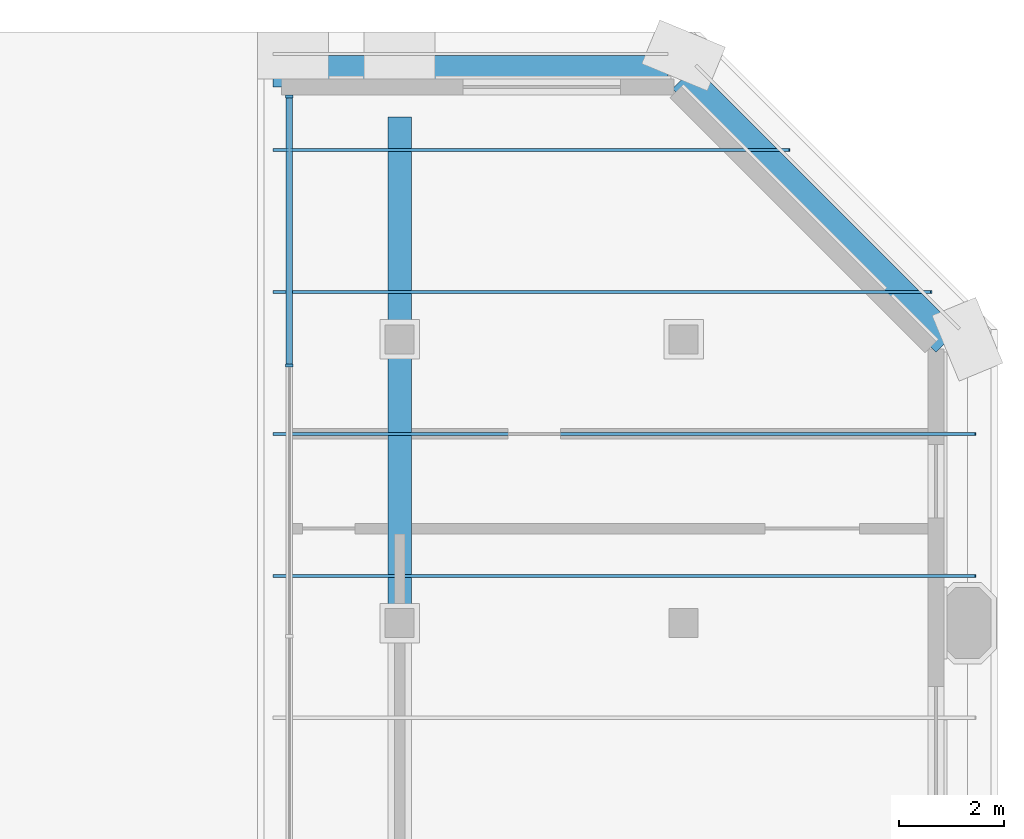
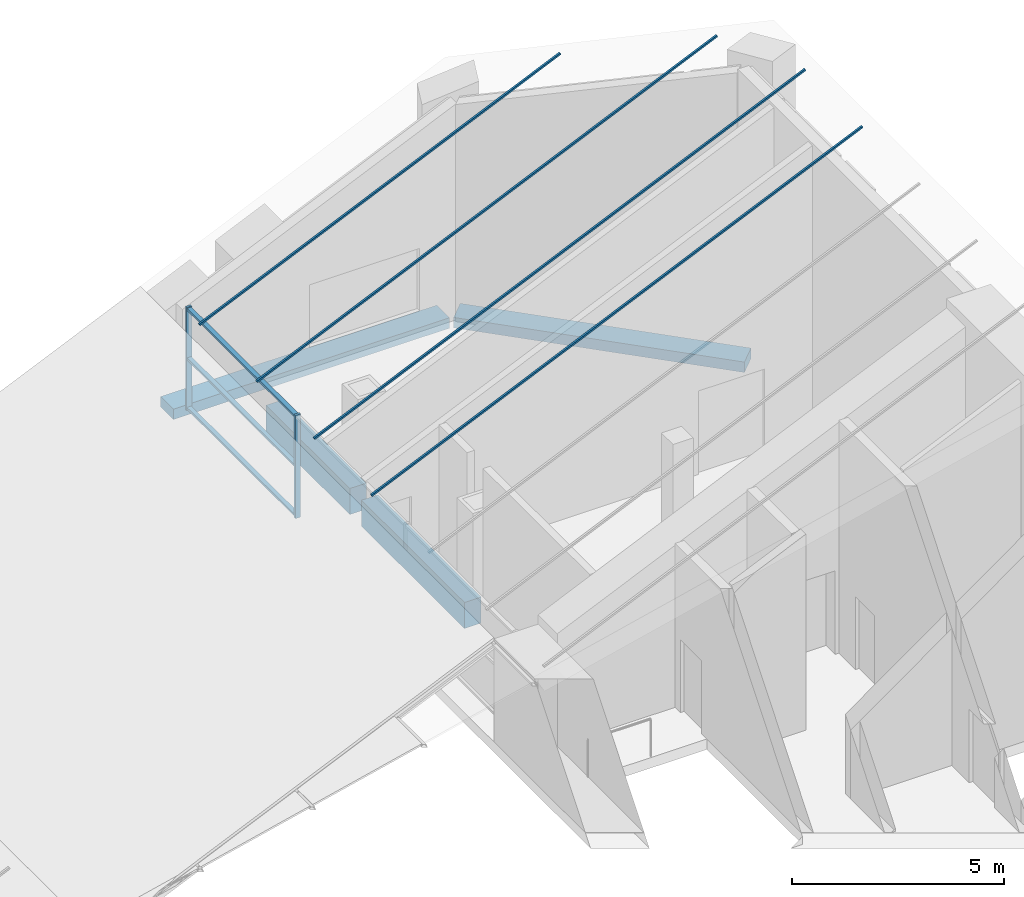
# One storey, part 6 of 10: 9 members, 4 beams, 1 element without a shape of its own.
"""IFC4 building model written with IfcOpenShell, lengths in metres."""

import ifcopenshell
import ifcopenshell.guid

model = None  # the IFC model being written
_history = None  # IfcOwnerHistory: only IFC2X3 demands one
_inside = {}  # id of a spatial element -> (the spatial element, [elements in it])
_under = {}  # id of a project, library or spatial element -> (it, [spatial elements below it])
_declared = {}  # id of a project -> (the project, [libraries it declares])
_typed = {}  # id of a type object -> (the type object, [elements of that type])
_made_of = {}  # id of a material, layer set ... -> (it, [elements and type objects made of it])


def new_model(schema):
    """Start an empty IFC model of exactly this schema.

    Asked for "IFC4X3", IfcOpenShell would pick the latest addendum, in which some entities
    have other attributes; the version numbers below select the first issue.
    IFC2X3 requires an IfcOwnerHistory on every rooted entity: one is made here for all.
    """
    global model, _history
    if schema == "IFC4X3":
        model = ifcopenshell.file(schema_version=(4, 3, 0, 0))
    else:
        model = ifcopenshell.file(schema=schema)
    _inside.clear()
    _under.clear()
    _declared.clear()
    _typed.clear()
    _made_of.clear()
    _history = None
    if model.schema == "IFC2X3":
        org = make("IfcOrganization", Name="unknown")
        user = make(
            "IfcPersonAndOrganization",
            ThePerson=make("IfcPerson", FamilyName="unknown"),
            TheOrganization=org,
        )
        app = make(
            "IfcApplication",
            ApplicationDeveloper=org,
            Version="unknown",
            ApplicationFullName="unknown",
            ApplicationIdentifier="unknown",
        )
        _history = make(
            "IfcOwnerHistory",
            OwningUser=user,
            OwningApplication=app,
            ChangeAction="ADDED",
            CreationDate=0,
        )
    return model


def make(cls, **values):
    """One entity of the class cls with the attributes given. An attribute that is None is left unset."""
    return model.create_entity(
        cls, **{name: value for name, value in values.items() if value is not None}
    )


def rooted(cls, **values):
    """An entity with a GlobalId (a new one), such as an element, a storey or a relation."""
    return make(cls, GlobalId=ifcopenshell.guid.new(), OwnerHistory=_history, **values)


def si_unit(unit_type, name, prefix=None):
    """IfcSIUnit, for example si_unit("LENGTHUNIT", "METRE", prefix="MILLI")."""
    return make("IfcSIUnit", UnitType=unit_type, Prefix=prefix, Name=name)


def assignment(units):
    """IfcUnitAssignment: the units of a project."""
    return None if units is None else make("IfcUnitAssignment", Units=units)


def point(xyz):
    """IfcCartesianPoint."""
    return None if xyz is None else make("IfcCartesianPoint", Coordinates=xyz)


def direction(xyz):
    """IfcDirection."""
    return None if xyz is None else make("IfcDirection", DirectionRatios=xyz)


def frame(location, z_axis=None, x_axis=None):
    """IfcAxis2Placement3D, a coordinate frame: its origin and axes. An axis left out is left unset."""
    return make(
        "IfcAxis2Placement3D",
        Location=point(location),
        Axis=direction(z_axis),
        RefDirection=direction(x_axis),
    )


def frame_2d(location, x_axis=None):
    """IfcAxis2Placement2D, a coordinate frame in the plane: its origin and x axis."""
    return make(
        "IfcAxis2Placement2D", Location=point(location), RefDirection=direction(x_axis)
    )


def origin():
    """The frame at (0, 0, 0) with its axes left unset."""
    return frame((0.0, 0.0, 0.0))


def origin_2d():
    """The frame at (0, 0) in the plane with its x axis left unset."""
    return frame_2d((0.0, 0.0))


def place(relative_to, where):
    """IfcLocalPlacement: puts the frame where relative to a parent placement (None: the world)."""
    return make(
        "IfcLocalPlacement", PlacementRelTo=relative_to, RelativePlacement=where
    )


def context(
    kind, dimensions, precision=None, world=None, true_north=None, identifier=None
):
    """IfcGeometricRepresentationContext, for example the 3D "Model" context."""
    return make(
        "IfcGeometricRepresentationContext",
        ContextIdentifier=identifier,
        ContextType=kind,
        CoordinateSpaceDimension=dimensions,
        Precision=precision,
        WorldCoordinateSystem=world,
        TrueNorth=true_north,
    )


def subcontext(parent, identifier, kind, view, scale=None):
    """IfcGeometricRepresentationSubContext, for example "Body" below "Model"."""
    return make(
        "IfcGeometricRepresentationSubContext",
        ContextIdentifier=identifier,
        ContextType=kind,
        ParentContext=parent,
        TargetScale=scale,
        TargetView=view,
    )


def project(units=None, contexts=None):
    """IfcProject with its units and contexts."""
    return rooted(
        "IfcProject",
        Name="project",
        RepresentationContexts=contexts,
        UnitsInContext=assignment(units),
    )


def spatial(cls, under=None, at=None, **own):
    """A site, building, storey or space (cls), placed at a placement, below another one or the project."""
    s = rooted(cls, ObjectPlacement=at, **own)
    if under is not None:
        _under.setdefault(under.id(), (under, []))[1].append(s)
    return s


def profile(cls, at=None, kind="AREA", **sizes):
    """A parametric profile (cls). Its sizes go by their IFC names, for example OverallWidth=200.0."""
    return make(cls, ProfileType=kind, Position=at, **sizes)


def rectangle(**sizes):
    """IfcRectangleProfileDef."""
    return profile("IfcRectangleProfileDef", **sizes)


def extrude(swept, where, along, depth):
    """IfcExtrudedAreaSolid: the profile swept, set in the frame where, extruded along a direction by depth."""
    return make(
        "IfcExtrudedAreaSolid",
        SweptArea=swept,
        Position=where,
        ExtrudedDirection=direction(along),
        Depth=depth,
    )


def shape(context_of_items, identifier, shape_type, items):
    """IfcShapeRepresentation: the items that make up one representation, for example the "Body"."""
    return make(
        "IfcShapeRepresentation",
        ContextOfItems=context_of_items,
        RepresentationIdentifier=identifier,
        RepresentationType=shape_type,
        Items=items,
    )


def material(Name=None, Category=None):
    """IfcMaterial."""
    return make("IfcMaterial", Name=Name, Category=Category)


def material_profile(
    of_material, cross_section, Name=None, Category=None, Priority=None
):
    """IfcMaterialProfile: a cross section and its material."""
    return make(
        "IfcMaterialProfile",
        Name=Name,
        Material=of_material,
        Profile=cross_section,
        Priority=Priority,
        Category=Category,
    )


def profile_set(profiles, Name=None, composite=None):
    """IfcMaterialProfileSet."""
    return make(
        "IfcMaterialProfileSet",
        Name=Name,
        MaterialProfiles=profiles,
        CompositeProfile=composite,
    )


def made_of(thing, what):
    """Note that an element or type object is made of a material, layer set ...; save() writes the relation."""
    if what is not None:
        _made_of.setdefault(what.id(), (what, []))[1].append(thing)
    return thing


def type_object(cls, material=None, **own):
    """A type object (cls), such as IfcWallType, which elements share."""
    return made_of(rooted(cls, **own), material)


def element(
    cls,
    number,
    at=None,
    inside=None,
    cuts=None,
    type_object=None,
    material=None,
    context=None,
    identifier="Body",
    shape_type=None,
    held_by="IfcProductDefinitionShape",
    body=None,
    shapes=None,
    **own,
):
    """One element of the class cls, such as IfcWall. Its Tag is "e" and its number.

    at: its placement. inside: the storey or other place that contains it. cuts: it is an
    opening in that element (IfcRelVoidsElement). A single representation is given by context,
    identifier, shape_type and body (its items); several are given by shapes. held_by: the class
    of the entity that holds the representations. save() writes the other relations.
    """
    e = rooted(cls, Tag="e%d" % number, ObjectPlacement=at, **own)
    if body is not None:
        shapes = [shape(context, identifier, shape_type, body)]
    if shapes is not None:
        e.Representation = make(held_by, Representations=shapes)
    if inside is not None:
        _inside.setdefault(inside.id(), (inside, []))[1].append(e)
    if cuts is not None:
        rooted(
            "IfcRelVoidsElement", RelatingBuildingElement=cuts, RelatedOpeningElement=e
        )
    if type_object is not None:
        _typed.setdefault(type_object.id(), (type_object, []))[1].append(e)
    return made_of(e, material)


def aggregate(whole, parts):
    """IfcRelAggregates: a whole, such as a stair, and the parts it consists of."""
    return rooted("IfcRelAggregates", RelatingObject=whole, RelatedObjects=parts)


def save(model, path):
    """Write the relations noted so far, then the file.

    IfcRelAggregates (storeys below a building ...), IfcRelContainedInSpatialStructure (elements
    in a storey), IfcRelDefinesByType, IfcRelAssociatesMaterial and IfcRelDeclares: one each for
    every whole, place, type object, material and project.
    """
    for whole, parts in _under.values():
        aggregate(whole, parts)
    for where, things in _inside.values():
        rooted(
            "IfcRelContainedInSpatialStructure",
            RelatedElements=things,
            RelatingStructure=where,
        )
    for kind, things in _typed.values():
        rooted("IfcRelDefinesByType", RelatedObjects=things, RelatingType=kind)
    for what, things in _made_of.values():
        rooted("IfcRelAssociatesMaterial", RelatedObjects=things, RelatingMaterial=what)
    for by, libraries in _declared.values():
        rooted("IfcRelDeclares", RelatingContext=by, RelatedDefinitions=libraries)
    model.write(path)


model = new_model("IFC4")

# Units and contexts
model_context = context("Model", 3, precision=1e-05, world=origin(), true_north=direction((0.0, 1.0)))
body_context = subcontext(model_context, "Body", "Model", "MODEL_VIEW")
ifc_project = project(units=[si_unit("LENGTHUNIT", "METRE"), si_unit("AREAUNIT", "SQUARE_METRE"), si_unit("VOLUMEUNIT", "CUBIC_METRE"), si_unit("PLANEANGLEUNIT", "RADIAN"), si_unit("MASSUNIT", "GRAM", prefix="KILO")], contexts=[model_context])

# Site, building, storey
site_placement = place(None, origin())
site = spatial("IfcSite", under=ifc_project, at=site_placement, CompositionType="ELEMENT")
building_placement = place(site_placement, origin())
building = spatial("IfcBuilding", under=site, at=building_placement, Name="Tabaq Tower and Sports Hall", CompositionType="ELEMENT")
storey_placement = place(building_placement, frame((0.0, 0.0, 335.199951171875)))
storey = spatial("IfcBuildingStorey", under=building, at=storey_placement, Name="L83", CompositionType="ELEMENT", Elevation=335.199951171875)

# Curtain wall, members
ifc_material_1 = material(Name="Aluminium alloy 6063-T6 framed glazing", Category="aluminium")
curtain_wall_type = type_object("IfcCurtainWallType", Name="CW5 curtain wall", PredefinedType="USERDEFINED", material=ifc_material_1)
curtain_wall_placement = place(storey_placement, origin())
curtain_wall = element("IfcCurtainWall", 1, at=curtain_wall_placement, inside=storey, type_object=curtain_wall_type, Name="Crown riser glazing L83", ObjectType="CROWN GLAZING", PredefinedType="USERDEFINED")
ifc_material_2 = material(Name="Aluminium alloy 6063-T6", Category="aluminium")
ifc_material_profile_1 = material_profile(ifc_material_2, rectangle(XDim=0.139892578125, YDim=0.06005859375, at=origin_2d()), Name="MULLION 140x60")
ifc_profile_set_1 = profile_set([ifc_material_profile_1], Name="Aluminium alloy 6063-T6")
member_type_1 = type_object("IfcMemberType", Name="CW5 mullion 140x60", PredefinedType="MULLION", material=ifc_profile_set_1)
member_1_placement = place(storey_placement, frame((30.300048828125, 47.820068359375, 0.0), z_axis=(0.0, 0.0, 1.0), x_axis=(1.0, 0.0, 0.0)))
member_1 = element("IfcMember", 2, at=member_1_placement, type_object=member_type_1, Name="CW5 mullion 1", PredefinedType="MULLION", context=body_context, shape_type="SweptSolid", body=[
    extrude(rectangle(XDim=0.139892578125, YDim=0.06005859375, at=origin_2d()), origin(), (0.0, 0.0, 1.0), 2.966796875),
])
member_2_placement = place(storey_placement, frame((30.300048828125, 42.699951171875, 0.0), z_axis=(0.0, 0.0, 1.0), x_axis=(1.0, 0.0, 0.0)))
member_2 = element("IfcMember", 3, at=member_2_placement, type_object=member_type_1, Name="CW5 mullion 2", PredefinedType="MULLION", context=body_context, shape_type="SweptSolid", body=[
    extrude(rectangle(XDim=0.139892578125, YDim=0.06005859375, at=origin_2d()), origin(), (0.0, 0.0, 1.0), 2.966796875),
])
ifc_material_3 = material(Name="Aluminium alloy 6063-T6", Category="aluminium")
ifc_material_profile_2 = material_profile(ifc_material_3, rectangle(XDim=0.1201171875, YDim=0.06005859375, at=origin_2d()), Name="TRANSOM 120x60")
ifc_profile_set_2 = profile_set([ifc_material_profile_2], Name="Aluminium alloy 6063-T6")
member_type_2 = type_object("IfcMemberType", Name="CW5 transom 120x60", PredefinedType="USERDEFINED", material=ifc_profile_set_2)
member_3_placement = place(storey_placement, frame((30.300048828125, 47.7900390625, 0.06005859375), z_axis=(0.0, -1.0, 0.0), x_axis=(1.0, 0.0, 0.0)))
member_3 = element("IfcMember", 4, at=member_3_placement, type_object=member_type_2, Name="CW5 transom 1.1", ObjectType="TRANSOM", PredefinedType="USERDEFINED", context=body_context, shape_type="SweptSolid", body=[
    extrude(rectangle(XDim=0.1201171875, YDim=0.06005859375, at=origin_2d()), origin(), (0.0, 0.0, 1.0), 5.06005859375),
])
member_4_placement = place(storey_placement, frame((30.300048828125, 47.7900390625, 1.4833984375), z_axis=(0.0, -1.0, 0.0), x_axis=(1.0, 0.0, 0.0)))
member_4 = element("IfcMember", 5, at=member_4_placement, type_object=member_type_2, Name="CW5 transom 1.2", ObjectType="TRANSOM", PredefinedType="USERDEFINED", context=body_context, shape_type="SweptSolid", body=[
    extrude(rectangle(XDim=0.1201171875, YDim=0.06005859375, at=origin_2d()), origin(), (0.0, 0.0, 1.0), 5.06005859375),
])
member_5_placement = place(storey_placement, frame((30.300048828125, 47.7900390625, 2.90673828125), z_axis=(0.0, -1.0, 0.0), x_axis=(1.0, 0.0, 0.0)))
member_5 = element("IfcMember", 6, at=member_5_placement, type_object=member_type_2, Name="CW5 transom 1.3", ObjectType="TRANSOM", PredefinedType="USERDEFINED", context=body_context, shape_type="SweptSolid", body=[
    extrude(rectangle(XDim=0.1201171875, YDim=0.06005859375, at=origin_2d()), origin(), (0.0, 0.0, 1.0), 5.06005859375),
])
aggregate(curtain_wall, [member_1, member_2, member_3, member_4, member_5])

# Members
ifc_material_4 = material(Name="Steel S355", Category="steel")
ifc_material_profile_3 = material_profile(ifc_material_4, rectangle(XDim=0.06005859375, YDim=0.050048828125, at=origin_2d()), Name="FL 60x50")
ifc_profile_set_3 = profile_set([ifc_material_profile_3], Name="Steel S355")
member_type_3 = type_object("IfcMemberType", Name="HALL ROOF SEAM RIB FL 60x50", PredefinedType="STRINGER", material=ifc_profile_set_3)
for number, where, z_axis, x_axis, name in (
    (7, (30.0, 38.699951171875, 3.158935546875), (0.913812237748, 0.0, 0.406136915512), (0.0, 1.0, 0.0), "Crown roof seam rib E12"),
    (8, (30.0, 41.39990234375, 3.158935546875), (0.913812237748, 0.0, 0.406136915512), (0.0, 1.0, 0.0), "Crown roof seam rib E13"),
):
    element("IfcMember", number, at=place(storey_placement, frame(where, z_axis=z_axis, x_axis=x_axis)), inside=storey, type_object=member_type_3, Name=name, PredefinedType="STRINGER", context=body_context, shape_type="SweptSolid", body=[
        extrude(rectangle(XDim=0.06005859375, YDim=0.050048828125, at=origin_2d()), origin(), (0.0, 0.0, 1.0), 14.609130859375),
    ])
member_6_placement = place(storey_placement, frame((30.0, 44.10009765625, 3.158935546875), z_axis=(0.913816695515, 0.0, 0.406126885342), x_axis=(0.0, 1.0, 0.0)))
element("IfcMember", 9, at=member_6_placement, inside=storey, type_object=member_type_3, Name="Crown roof seam rib E14", PredefinedType="STRINGER", context=body_context, shape_type="SweptSolid", body=[
    extrude(rectangle(XDim=0.06005859375, YDim=0.050048828125, at=origin_2d()), origin(), (0.0, 0.0, 1.0), 13.692138671875),
])
member_7_placement = place(storey_placement, frame((30.0, 46.800048828125, 3.158935546875), z_axis=(0.913813423854, 0.0, 0.40613424675), x_axis=(0.0, 1.0, 0.0)))
element("IfcMember", 10, at=member_7_placement, inside=storey, type_object=member_type_3, Name="Crown roof seam rib E15", PredefinedType="STRINGER", context=body_context, shape_type="SweptSolid", body=[
    extrude(rectangle(XDim=0.06005859375, YDim=0.050048828125, at=origin_2d()), origin(), (0.0, 0.0, 1.0), 10.737548828125),
])

# Beams
ifc_material_5 = material(Name="Concrete C40/50", Category="concrete")
ifc_material_profile_4 = material_profile(ifc_material_5, rectangle(XDim=0.449951171875, YDim=0.75, at=origin_2d()), Name="CB 450x750")
ifc_profile_set_4 = profile_set([ifc_material_profile_4], Name="Concrete C40/50")
beam_type_1 = type_object("IfcBeamType", Name="PT CANTILEVER BEAM CB 450x750 C40/50", PredefinedType="BEAM", material=ifc_profile_set_4)
beam_1_placement = place(storey_placement, frame((32.39990234375, 47.425048828125, -0.675048828125), z_axis=(0.0, -1.0, 0.0), x_axis=(1.0, 0.0, 0.0)))
element("IfcBeam", 11, at=beam_1_placement, inside=storey, type_object=beam_type_1, Name="Cantilever Beam L83 N6 span 1", PredefinedType="BEAM", context=body_context, shape_type="SweptSolid", body=[
    extrude(rectangle(XDim=0.449951171875, YDim=0.75, at=origin_2d()), origin(), (0.0, 0.0, 1.0), 3.949951171875),
])
beam_2_placement = place(storey_placement, frame((32.39990234375, 42.925048828125, -0.675048828125), z_axis=(0.0, -1.0, 0.0), x_axis=(1.0, 0.0, 0.0)))
element("IfcBeam", 12, at=beam_2_placement, inside=storey, type_object=beam_type_1, Name="Cantilever Beam L83 N6 span 2", PredefinedType="BEAM", context=body_context, shape_type="SweptSolid", body=[
    extrude(rectangle(XDim=0.449951171875, YDim=0.75, at=origin_2d()), origin(), (0.0, 0.0, 1.0), 4.85009765625),
])
ifc_material_6 = material(Name="Concrete C40/50", Category="concrete")
ifc_material_profile_5 = material_profile(ifc_material_6, rectangle(XDim=0.60009765625, YDim=0.300048828125, at=origin_2d()), Name="EB 600x300")
ifc_profile_set_5 = profile_set([ifc_material_profile_5], Name="Concrete C40/50")
beam_type_2 = type_object("IfcBeamType", Name="PT EDGE BEAM EB 600x300 C40/50", PredefinedType="SPANDREL", material=ifc_profile_set_5)
beam_3_placement = place(storey_placement, frame((37.50146484375, 48.300048828125, -0.14990234375), z_axis=(-1.0, 0.0, 0.0), x_axis=(0.0, -1.0, 0.0)))
element("IfcBeam", 13, at=beam_3_placement, inside=storey, type_object=beam_type_2, Name="Edge Beam L83 1", PredefinedType="SPANDREL", context=body_context, shape_type="SweptSolid", body=[
    extrude(rectangle(XDim=0.60009765625, YDim=0.300048828125, at=origin_2d()), origin(), (0.0, 0.0, 1.0), 7.511474609375),
])
beam_4_placement = place(storey_placement, frame((42.81103515625, 43.16455078125, -0.14990234375), z_axis=(-0.707089559252, 0.707124002701, 0.0), x_axis=(-0.707124002701, -0.707089559252, 0.0)))
element("IfcBeam", 14, at=beam_4_placement, inside=storey, type_object=beam_type_2, Name="Edge Beam L83 2", PredefinedType="SPANDREL", context=body_context, shape_type="SweptSolid", body=[
    extrude(rectangle(XDim=0.60009765625, YDim=0.300048828125, at=origin_2d()), origin(), (0.0, 0.0, 1.0), 7.088134765625),
])

save(model, "model.ifc")
